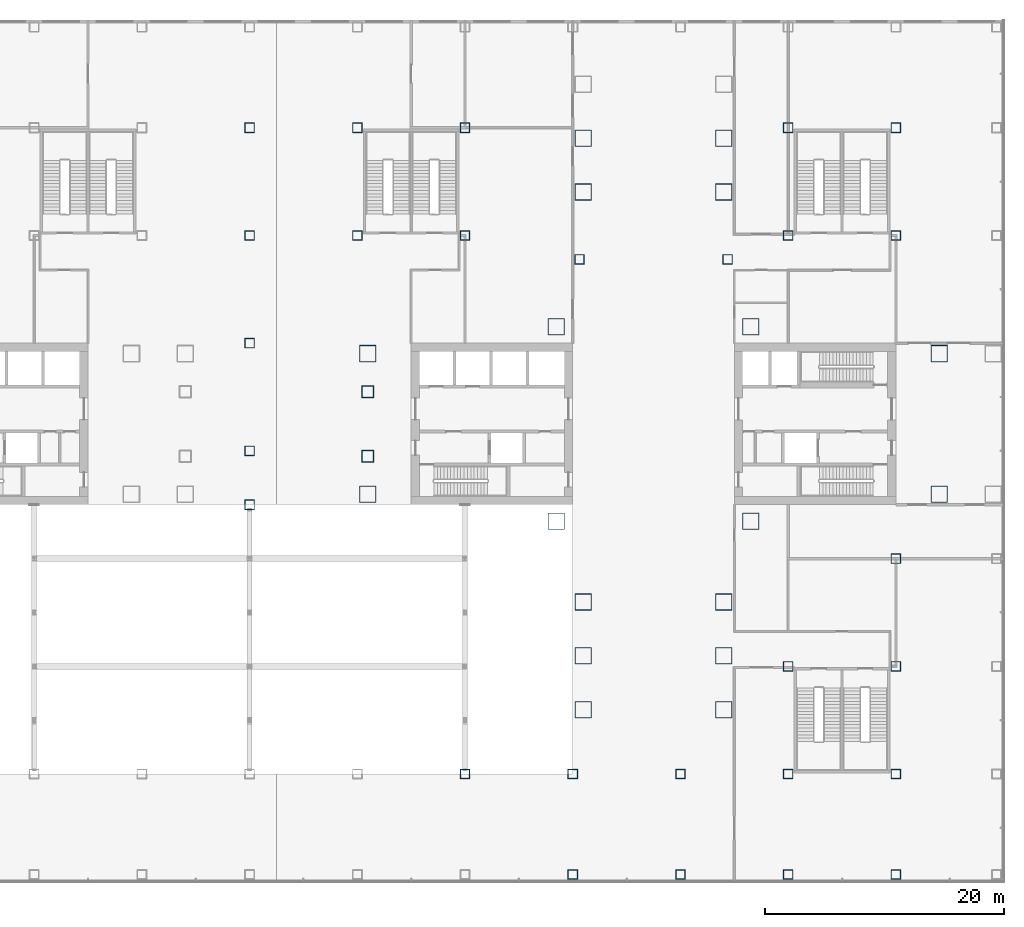
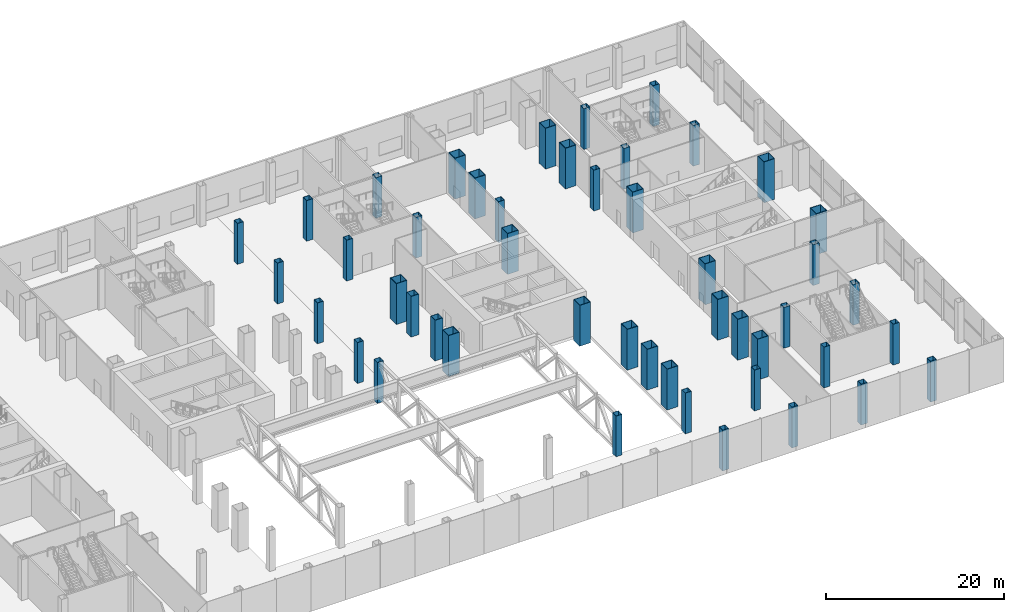
# One storey, part 2 of 33: 47 columns.
"""IFC4 building model written with IfcOpenShell, lengths in metres."""

from ifc_helpers import new_model, si_unit, direction, frame, origin, origin_2d, place, context, subcontext, project, spatial, hollow_rectangle, extrude, material, material_profile, profile_set, type_object, element, save


model = new_model("IFC4")

# Units and contexts
model_context = context("Model", 3, precision=1e-05, world=origin(), true_north=direction((0.0, 1.0)))
body_context = subcontext(model_context, "Body", "Model", "MODEL_VIEW")
ifc_project = project(units=[si_unit("LENGTHUNIT", "METRE"), si_unit("AREAUNIT", "SQUARE_METRE"), si_unit("VOLUMEUNIT", "CUBIC_METRE"), si_unit("PLANEANGLEUNIT", "RADIAN"), si_unit("MASSUNIT", "GRAM", prefix="KILO")], contexts=[model_context])

# Site, building, storey
site_placement = place(None, origin())
site = spatial("IfcSite", under=ifc_project, at=site_placement, CompositionType="ELEMENT")
building_placement = place(site_placement, origin())
building = spatial("IfcBuilding", under=site, at=building_placement, Name="Shamsa Quay Exchange Towers", CompositionType="ELEMENT")
storey_placement = place(building_placement, frame((0.0, 0.0, 6.5)))
storey = spatial("IfcBuildingStorey", under=building, at=storey_placement, Name="L01", CompositionType="ELEMENT", Elevation=6.5)

# Columns
ifc_material_1 = material(Name="Concrete-filled steel tube S355 / C80/95", Category="concrete")
ifc_material_profile_1 = material_profile(ifc_material_1, hollow_rectangle(XDim=1.39990234375, YDim=1.39990234375, WallThickness=0.06005859375, at=origin_2d()), Name="CFT 1400x1400x60")
ifc_profile_set_1 = profile_set([ifc_material_profile_1], Name="Concrete-filled steel tube S355 / C80/95")
column_type_1 = type_object("IfcColumnType", Name="Column CFT 1400x1400x60", PredefinedType="COLUMN", material=ifc_profile_set_1)
for number, where, name in (
    (1, (25.625, 8.125, 0.0), "Mega column T2-CM01"),
    (2, (41.875, 8.125, 0.0), "Mega column T2-CM02"),
    (3, (25.625, -8.125, 0.0), "Mega column T2-CM03"),
    (4, (41.875, -8.125, 0.0), "Mega column T2-CM04"),
    (5, (39.625, 19.375, 0.0), "Mega column T2-CM06"),
    (6, (39.625, 23.875, 0.0), "Mega column T2-CM07"),
    (7, (27.875, 19.375, 0.0), "Mega column T2-CM10"),
    (8, (27.875, 23.875, 0.0), "Mega column T2-CM11"),
    (9, (39.625, -14.875, 0.0), "Mega column T2-CM13"),
    (10, (39.625, -19.375, 0.0), "Mega column T2-CM14"),
    (11, (39.625, -23.875, 0.0), "Mega column T2-CM15"),
    (12, (27.875, -14.875, 0.0), "Mega column T2-CM16"),
    (13, (27.875, -19.375, 0.0), "Mega column T2-CM17"),
    (14, (27.875, -23.875, 0.0), "Mega column T2-CM18"),
    (15, (9.875, -5.875, 0.0), "Mega column T2-CM19"),
    (16, (9.875, 5.875, 0.0), "Mega column T2-CM20"),
    (17, (57.625, -5.875, 0.0), "Mega column T2-CM21"),
    (18, (57.625, 5.875, 0.0), "Mega column T2-CM23"),
):
    element("IfcColumn", number, at=place(storey_placement, frame(where)), inside=storey, type_object=column_type_1, Name=name, PredefinedType="COLUMN", context=body_context, shape_type="SweptSolid", body=[
        extrude(hollow_rectangle(XDim=1.39990234375, YDim=1.39990234375, WallThickness=0.06005859375, at=origin_2d()), origin(), (0.0, 0.0, 1.0), 5.60009765625),
    ])
ifc_material_2 = material(Name="Concrete-filled steel tube S355 / C60/75", Category="concrete")
ifc_material_profile_2 = material_profile(ifc_material_2, hollow_rectangle(XDim=0.800048828125, YDim=0.800048828125, WallThickness=0.030029296875, at=origin_2d()), Name="CFT 800x800x30")
ifc_profile_set_2 = profile_set([ifc_material_profile_2], Name="Concrete-filled steel tube S355 / C60/75")
column_type_2 = type_object("IfcColumnType", Name="Column CFT 800x800x30", PredefinedType="COLUMN", material=ifc_profile_set_2)
for number, where, name in (
    (19, (39.9375, 13.75, 0.0), "Perimeter column T2-CP05"),
    (20, (27.5625, 13.75, 0.0), "Perimeter column T2-CP09"),
    (21, (0.0, -2.25, 0.0), "Perimeter column PD-C+0000-0022"),
    (22, (0.0, 6.75, 0.0), "Perimeter column PD-C+0000+0068"),
    (23, (0.0, 15.75, 0.0), "Perimeter column PD-C+0000+0158"),
    (24, (0.0, 24.75, 0.0), "Perimeter column PD-C+0000+0248"),
    (25, (9.0, 15.75, 0.0), "Perimeter column PD-C+0090+0158"),
    (26, (9.0, 24.75, 0.0), "Perimeter column PD-C+0090+0248"),
    (27, (18.0, -29.25, 0.0), "Perimeter column PD-C+0180-0292"),
    (28, (18.0, 15.75, 0.0), "Perimeter column PD-C+0180+0158"),
    (29, (18.0, 24.75, 0.0), "Perimeter column PD-C+0180+0248"),
    (30, (27.0, -37.64990234375, 0.0), "Perimeter column PD-C+0270-0382"),
    (31, (27.0, -29.25, 0.0), "Perimeter column PD-C+0270-0292"),
    (32, (36.0, -37.64990234375, 0.0), "Perimeter column PD-C+0360-0382"),
    (33, (36.0, -29.25, 0.0), "Perimeter column PD-C+0360-0292"),
    (34, (45.0, -37.64990234375, 0.0), "Perimeter column PD-C+0450-0382"),
    (35, (45.0, -29.25, 0.0), "Perimeter column PD-C+0450-0292"),
    (36, (45.0, -20.25, 0.0), "Perimeter column PD-C+0450-0202"),
    (37, (45.0, 15.75, 0.0), "Perimeter column PD-C+0450+0158"),
    (38, (45.0, 24.75, 0.0), "Perimeter column PD-C+0450+0248"),
    (39, (54.0, -37.64990234375, 0.0), "Perimeter column PD-C+0540-0382"),
    (40, (54.0, -29.25, 0.0), "Perimeter column PD-C+0540-0292"),
    (41, (54.0, -20.25, 0.0), "Perimeter column PD-C+0540-0202"),
    (42, (54.0, -11.25, 0.0), "Perimeter column PD-C+0540-0112"),
    (43, (54.0, 15.75, 0.0), "Perimeter column PD-C+0540+0158"),
    (44, (54.0, 24.75, 0.0), "Perimeter column PD-C+0540+0248"),
):
    element("IfcColumn", number, at=place(storey_placement, frame(where)), inside=storey, type_object=column_type_2, Name=name, PredefinedType="COLUMN", context=body_context, shape_type="SweptSolid", body=[
        extrude(hollow_rectangle(XDim=0.800048828125, YDim=0.800048828125, WallThickness=0.030029296875, at=origin_2d()), origin(), (0.0, 0.0, 1.0), 5.60009765625),
    ])
ifc_material_profile_3 = material_profile(ifc_material_2, hollow_rectangle(XDim=0.800048828125, YDim=0.800048828125, WallThickness=0.030029296875, at=origin_2d()), Name="CFT 800x800x30")
ifc_profile_set_3 = profile_set([ifc_material_profile_3], Name="Concrete-filled steel tube S355 / C60/75")
column_type_3 = type_object("IfcColumnType", Name="Hall support column CFT 800x800x30", PredefinedType="COLUMN", material=ifc_profile_set_3)
column_placement = place(storey_placement, frame((0.0, -6.75, 0.0)))
element("IfcColumn", 45, at=column_placement, inside=storey, type_object=column_type_3, Name="Hall support column", PredefinedType="COLUMN", context=body_context, shape_type="SweptSolid", body=[
    extrude(hollow_rectangle(XDim=0.800048828125, YDim=0.800048828125, WallThickness=0.030029296875, at=origin_2d()), origin(), (0.0, 0.0, 1.0), 5.60009765625),
])
ifc_material_3 = material(Name="Concrete-filled steel tube S355 / C70/85", Category="concrete")
ifc_material_profile_4 = material_profile(ifc_material_3, hollow_rectangle(XDim=1.0, YDim=1.0, WallThickness=0.0400390625, at=origin_2d()), Name="CFT 1000x1000x40")
ifc_profile_set_4 = profile_set([ifc_material_profile_4], Name="Concrete-filled steel tube S355 / C70/85")
column_type_4 = type_object("IfcColumnType", Name="Landing column CFT 1000x1000x40", PredefinedType="COLUMN", material=ifc_profile_set_4)
for number, where, name in (
    (46, (9.875, -2.699951171875, 0.0), "Landing column T2 S"),
    (47, (9.875, 2.699951171875, 0.0), "Landing column T2 N"),
):
    element("IfcColumn", number, at=place(storey_placement, frame(where)), inside=storey, type_object=column_type_4, Name=name, PredefinedType="COLUMN", context=body_context, shape_type="SweptSolid", body=[
        extrude(hollow_rectangle(XDim=1.0, YDim=1.0, WallThickness=0.0400390625, at=origin_2d()), origin(), (0.0, 0.0, 1.0), 5.60009765625),
    ])

save(model, "model.ifc")
